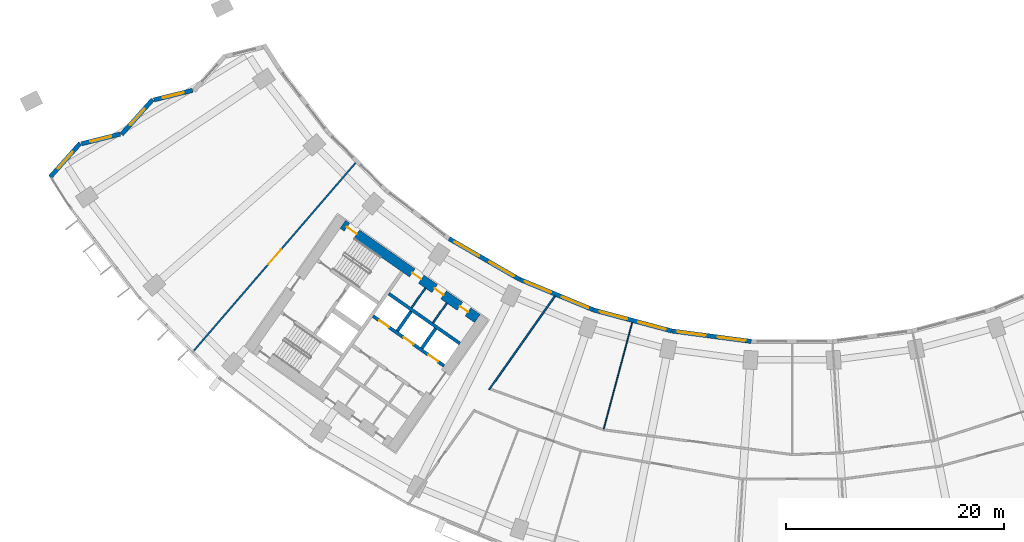
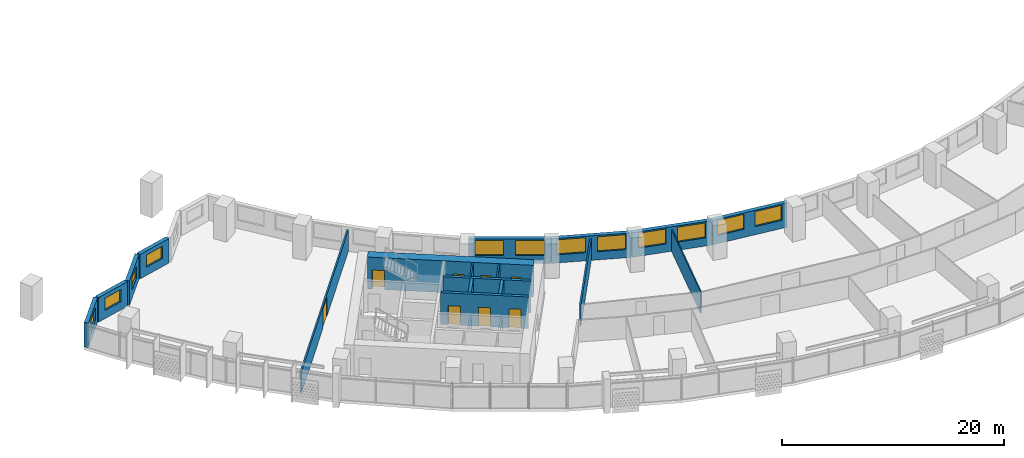
# One storey, part 4 of 31: 18 walls, 12 windows, 8 doors, 20 openings.
"""IFC4 building model written with IfcOpenShell, lengths in metres."""

from ifc_helpers import new_model, si_unit, direction, frame, frame_2d, origin, place, context, subcontext, project, spatial, rectangle, extrude, material, layer, layer_set, type_object, element, fill, save


model = new_model("IFC4")

# Units and contexts
model_context = context("Model", 3, precision=1e-05, world=origin(), true_north=direction((0.0, 1.0)))
body_context = subcontext(model_context, "Body", "Model", "MODEL_VIEW")
ifc_project = project(units=[si_unit("LENGTHUNIT", "METRE"), si_unit("AREAUNIT", "SQUARE_METRE"), si_unit("VOLUMEUNIT", "CUBIC_METRE"), si_unit("PLANEANGLEUNIT", "RADIAN"), si_unit("MASSUNIT", "GRAM", prefix="KILO")], contexts=[model_context])

# Site, building, storey
site_placement = place(None, origin())
site = spatial("IfcSite", under=ifc_project, at=site_placement, CompositionType="ELEMENT")
building_placement = place(site_placement, origin())
building = spatial("IfcBuilding", under=site, at=building_placement, Name="Qamariyya Broadcast Tower", CompositionType="ELEMENT")
storey_placement = place(building_placement, frame((0.0, 0.0, 82.300048828125)))
storey = spatial("IfcBuildingStorey", under=building, at=storey_placement, Name="L17", CompositionType="ELEMENT", Elevation=82.300048828125)

# Wall, openings, doors
ifc_material_1 = material(Name="Concrete C70/85", Category="concrete")
ifc_layer_1 = layer(ifc_material_1, 0.89990234375)
ifc_layer_set_1 = layer_set([ifc_layer_1], Name="Core wall 900 mm Concrete C70/85")
wall_type_1 = type_object("IfcWallType", Name="Core wall 900 mm Concrete C70/85", PredefinedType="SHEAR", material=ifc_layer_set_1)
wall_1_placement = place(storey_placement, frame((-28.8544921875, -54.32421875, 0.0), z_axis=(0.0, 0.0, 1.0), x_axis=(-0.819145767589, 0.573585400304, 0.0)))
wall_1 = element("IfcWall", 1, at=wall_1_placement, inside=storey, type_object=wall_type_1, Name="k-W-L17-WI", PredefinedType="SHEAR", context=body_context, shape_type="SweptSolid", body=[
    extrude(rectangle(XDim=15.04541015625, YDim=0.89990234375, at=frame_2d((7.522705078125, 0.0))), origin(), (0.0, 0.0, 1.0), 3.5),
])
opening_1_placement = place(wall_1_placement, frame((1.050048828125, 0.0, 0.0)))
opening_1 = element("IfcOpeningElement", 2, at=opening_1_placement, cuts=wall_1, Name="Opening KD5-W1", PredefinedType="OPENING", context=body_context, shape_type="SweptSolid", body=[
    extrude(rectangle(XDim=0.89990234375, YDim=2.10009765625, at=frame_2d((0.449951171875, 1.050048828125))), frame((0.0, 0.4599609375, 0.0), z_axis=(0.0, -1.0, 0.0), x_axis=(1.0, 0.0, 0.0)), (0.0, 0.0, 1.0), 0.919921875),
])
opening_2_placement = place(wall_1_placement, frame((3.77490234375, 0.0, 0.0)))
opening_2 = element("IfcOpeningElement", 3, at=opening_2_placement, cuts=wall_1, Name="Opening KD7-W1", PredefinedType="OPENING", context=body_context, shape_type="SweptSolid", body=[
    extrude(rectangle(XDim=1.0, YDim=2.10009765625, at=frame_2d((0.5, 1.050048828125))), frame((0.0, 0.4599609375, 0.0), z_axis=(0.0, -1.0, 0.0), x_axis=(1.0, 0.0, 0.0)), (0.0, 0.0, 1.0), 0.919921875),
])
opening_3_placement = place(wall_1_placement, frame((6.27490234375, 0.0, 0.0)))
opening_3 = element("IfcOpeningElement", 4, at=opening_3_placement, cuts=wall_1, Name="Opening KD6-W4", PredefinedType="OPENING", context=body_context, shape_type="SweptSolid", body=[
    extrude(rectangle(XDim=1.0, YDim=2.10009765625, at=frame_2d((0.5, 1.050048828125))), frame((0.0, 0.4599609375, 0.0), z_axis=(0.0, -1.0, 0.0), x_axis=(1.0, 0.0, 0.0)), (0.0, 0.0, 1.0), 0.919921875),
])
opening_4_placement = place(wall_1_placement, frame((13.495361328125, 0.0, 0.0)))
opening_4 = element("IfcOpeningElement", 5, at=opening_4_placement, cuts=wall_1, Name="Opening KD1-W1", PredefinedType="OPENING", context=body_context, shape_type="SweptSolid", body=[
    extrude(rectangle(XDim=1.10009765625, YDim=2.10009765625, at=frame_2d((0.550048828125, 1.050048828125))), frame((0.0, 0.4599609375, 0.0), z_axis=(0.0, -1.0, 0.0), x_axis=(1.0, 0.0, 0.0)), (0.0, 0.0, 1.0), 0.919921875),
])
ifc_material_2 = material(Name="Steel fire-resisting door leaf", Category="steel")
door_type_1 = type_object("IfcDoorType", Name="Accessible toilet door KD7", OperationType="SINGLE_SWING_LEFT", PredefinedType="DOOR", material=ifc_material_2)
door_1_placement = place(opening_2_placement, origin())
door_1 = element("IfcDoor", 6, at=door_1_placement, inside=storey, type_object=door_type_1, Name="k-W-L17-WI-D9", OperationType="SINGLE_SWING_RIGHT", OverallHeight=2.10009765625, OverallWidth=1.0, PredefinedType="DOOR", context=body_context, shape_type="SweptSolid", body=[
    extrude(rectangle(XDim=1.0, YDim=2.10009765625, at=frame_2d((0.5, 1.050048828125))), frame((0.0, 0.02490234375, 0.0), z_axis=(0.0, -1.0, 0.0), x_axis=(1.0, 0.0, 0.0)), (0.0, 0.0, 1.0), 0.050048828125),
])
fill(opening_2, door_1)
door_type_2 = type_object("IfcDoorType", Name="Core room door KD6", OperationType="SINGLE_SWING_LEFT", PredefinedType="DOOR", material=ifc_material_2)
door_2_placement = place(opening_3_placement, origin())
door_2 = element("IfcDoor", 7, at=door_2_placement, inside=storey, type_object=door_type_2, Name="k-W-L17-WI-D10", OperationType="SINGLE_SWING_LEFT", OverallHeight=2.10009765625, OverallWidth=1.0, PredefinedType="DOOR", context=body_context, shape_type="SweptSolid", body=[
    extrude(rectangle(XDim=1.0, YDim=2.10009765625, at=frame_2d((0.5, 1.050048828125))), frame((0.0, 0.02490234375, 0.0), z_axis=(0.0, -1.0, 0.0), x_axis=(1.0, 0.0, 0.0)), (0.0, 0.0, 1.0), 0.050048828125),
])
fill(opening_3, door_2)
door_type_3 = type_object("IfcDoorType", Name="Stair door KD1", OperationType="SINGLE_SWING_LEFT", PredefinedType="DOOR", material=ifc_material_2)
door_3_placement = place(opening_4_placement, origin())
door_3 = element("IfcDoor", 8, at=door_3_placement, inside=storey, type_object=door_type_3, Name="k-W-L17-WI-D17", OperationType="SINGLE_SWING_RIGHT", OverallHeight=2.10009765625, OverallWidth=1.10009765625, PredefinedType="DOOR", context=body_context, shape_type="SweptSolid", body=[
    extrude(rectangle(XDim=1.10009765625, YDim=2.10009765625, at=frame_2d((0.550048828125, 1.050048828125))), frame((0.0, 0.02490234375, 0.0), z_axis=(0.0, -1.0, 0.0), x_axis=(1.0, 0.0, 0.0)), (0.0, 0.0, 1.0), 0.050048828125),
])
fill(opening_4, door_3)
door_type_4 = type_object("IfcDoorType", Name="Toilet door KD5", OperationType="SINGLE_SWING_LEFT", PredefinedType="DOOR", material=ifc_material_2)
door_4_placement = place(opening_1_placement, origin())
door_4 = element("IfcDoor", 9, at=door_4_placement, inside=storey, type_object=door_type_4, Name="k-W-L17-WI-D8", OperationType="SINGLE_SWING_LEFT", OverallHeight=2.10009765625, OverallWidth=0.89990234375, PredefinedType="DOOR", context=body_context, shape_type="SweptSolid", body=[
    extrude(rectangle(XDim=0.89990234375, YDim=2.10009765625, at=frame_2d((0.449951171875, 1.050048828125))), frame((0.0, 0.02490234375, 0.0), z_axis=(0.0, -1.0, 0.0), x_axis=(1.0, 0.0, 0.0)), (0.0, 0.0, 1.0), 0.050048828125),
])
fill(opening_1, door_4)

# Wall, opening, door
ifc_material_3 = material(Name="Gypsum board partition")
ifc_layer_2 = layer(ifc_material_3, 0.14990234375)
ifc_layer_set_2 = layer_set([ifc_layer_2], Name="Corridor partition 150 EI 60")
wall_type_2 = type_object("IfcWallType", Name="Corridor partition 150 EI 60", PredefinedType="PARTITIONING", material=ifc_layer_set_2)
wall_2_placement = place(storey_placement, frame((-54.842041015625, -57.27685546875, 0.0), z_axis=(0.0, 0.0, 1.0), x_axis=(0.652471531746, 0.757813235739, 0.0)))
wall_2 = element("IfcWall", 10, at=wall_2_placement, inside=storey, type_object=wall_type_2, Name="Partition L17-001", PredefinedType="PARTITIONING", context=body_context, shape_type="SweptSolid", body=[
    extrude(rectangle(XDim=22.71484375, YDim=0.14990234375, at=frame_2d((11.357421875, 0.0))), origin(), (0.0, 0.0, 1.0), 2.39990234375),
])
opening_5_placement = place(wall_2_placement, frame((10.45751953125, 0.0, 0.0)))
opening_5 = element("IfcOpeningElement", 11, at=opening_5_placement, cuts=wall_2, Name="Opening L17-D12", PredefinedType="OPENING", context=body_context, shape_type="SweptSolid", body=[
    extrude(rectangle(XDim=1.800048828125, YDim=2.10009765625, at=frame_2d((0.89990234375, 1.050048828125))), frame((0.0, 0.0849609375, 0.0), z_axis=(0.0, -1.0, 0.0), x_axis=(1.0, 0.0, 0.0)), (0.0, 0.0, 1.0), 0.169921875),
])
ifc_material_4 = material(Name="Timber fire door leaf", Category="wood")
door_type_5 = type_object("IfcDoorType", Name="Double fire door 1800 x 2100 FD60", OperationType="NOTDEFINED", PredefinedType="DOOR", material=ifc_material_4)
door_5_placement = place(opening_5_placement, origin())
door_5 = element("IfcDoor", 12, at=door_5_placement, inside=storey, type_object=door_type_5, Name="Door L17-D12", OperationType="DOUBLE_DOOR_SINGLE_SWING", OverallHeight=2.10009765625, OverallWidth=1.800048828125, PredefinedType="DOOR", context=body_context, shape_type="SweptSolid", body=[
    extrude(rectangle(XDim=1.800048828125, YDim=2.10009765625, at=frame_2d((0.89990234375, 1.050048828125))), frame((0.0, 0.02490234375, 0.0), z_axis=(0.0, -1.0, 0.0), x_axis=(1.0, 0.0, 0.0)), (0.0, 0.0, 1.0), 0.050048828125),
])
fill(opening_5, door_5)

# Walls
wall_3_placement = place(storey_placement, frame((-21.748291015625, -52.2763671875, 0.0), z_axis=(0.0, 0.0, 1.0), x_axis=(-0.575419434668, -0.817858468322, 0.0)))
element("IfcWall", 13, at=wall_3_placement, inside=storey, type_object=wall_type_2, Name="Partition L17-008", PredefinedType="PARTITIONING", context=body_context, shape_type="SweptSolid", body=[
    extrude(rectangle(XDim=10.46484375, YDim=0.14990234375, at=frame_2d((5.232421875, 0.0))), origin(), (0.0, 0.0, 1.0), 2.39990234375),
])
ifc_material_5 = material(Name="Gypsum board partition on steel studs", Category="steel")
ifc_layer_3 = layer(ifc_material_5, 0.14990234375)
ifc_layer_set_3 = layer_set([ifc_layer_3], Name="Gypsum board partition 150 mm")
wall_type_3 = type_object("IfcWallType", Name="Gypsum board partition 150 mm", PredefinedType="PARTITIONING", material=ifc_layer_set_3)
wall_4_placement = place(storey_placement, frame((-32.9140625, -54.716796875, 0.0), z_axis=(0.0, 0.0, 1.0), x_axis=(0.573581496053, 0.819148501424, 0.0)))
element("IfcWall", 14, at=wall_4_placement, inside=storey, type_object=wall_type_3, Name="k-W-L17-NP310", PredefinedType="PARTITIONING", context=body_context, shape_type="SweptSolid", body=[
    extrude(rectangle(XDim=2.2001953125, YDim=0.14990234375, at=frame_2d((1.10009765625, 0.0))), origin(), (0.0, 0.0, 1.0), 3.5),
])
wall_5_placement = place(storey_placement, frame((-34.8798828125, -53.340087890625, 0.0), z_axis=(0.0, 0.0, 1.0), x_axis=(0.573559170999, 0.819164133348, 0.0)))
element("IfcWall", 15, at=wall_5_placement, inside=storey, type_object=wall_type_3, Name="k-W-L17-NP550", PredefinedType="PARTITIONING", context=body_context, shape_type="SweptSolid", body=[
    extrude(rectangle(XDim=2.19970703125, YDim=0.14990234375, at=frame_2d((1.099853515625, 0.0))), origin(), (0.0, 0.0, 1.0), 3.5),
])

# Wall, openings, doors
ifc_material_6 = material(Name="Concrete C60/75", Category="concrete")
ifc_layer_4 = layer(ifc_material_6, 0.300048828125)
ifc_layer_set_4 = layer_set([ifc_layer_4], Name="Lift shaft wall 300 mm Concrete C60/75")
wall_type_4 = type_object("IfcWallType", Name="Lift shaft wall 300 mm Concrete C60/75", PredefinedType="SOLIDWALL", material=ifc_layer_set_4)
wall_6_placement = place(storey_placement, frame((-31.89453125, -58.66552734375, 0.0), z_axis=(0.0, 0.0, 1.0), x_axis=(-0.819166993208, 0.573555086491, 0.0)))
wall_6 = element("IfcWall", 16, at=wall_6_placement, inside=storey, type_object=wall_type_4, Name="k-W-L17-NF0", PredefinedType="SOLIDWALL", context=body_context, shape_type="SweptSolid", body=[
    extrude(rectangle(XDim=7.9501953125, YDim=0.300048828125, at=frame_2d((3.97509765625, 0.0))), origin(), (0.0, 0.0, 1.0), 3.5),
])
opening_6_placement = place(wall_6_placement, frame((0.675048828125, 0.0, 0.0)))
opening_6 = element("IfcOpeningElement", 17, at=opening_6_placement, cuts=wall_6, Name="Opening LD", PredefinedType="OPENING", context=body_context, shape_type="SweptSolid", body=[
    extrude(rectangle(XDim=1.10009765625, YDim=2.10009765625, at=frame_2d((0.550048828125, 1.050048828125))), frame((0.0, 0.159912109375, 0.0), z_axis=(0.0, -1.0, 0.0), x_axis=(1.0, 0.0, 0.0)), (0.0, 0.0, 1.0), 0.320068359375),
])
opening_7_placement = place(wall_6_placement, frame((3.425048828125, 0.0, 0.0)))
opening_7 = element("IfcOpeningElement", 18, at=opening_7_placement, cuts=wall_6, Name="Opening LD", PredefinedType="OPENING", context=body_context, shape_type="SweptSolid", body=[
    extrude(rectangle(XDim=1.10009765625, YDim=2.10009765625, at=frame_2d((0.550048828125, 1.050048828125))), frame((0.0, 0.159912109375, 0.0), z_axis=(0.0, -1.0, 0.0), x_axis=(1.0, 0.0, 0.0)), (0.0, 0.0, 1.0), 0.320068359375),
])
opening_8_placement = place(wall_6_placement, frame((6.175048828125, 0.0, 0.0)))
opening_8 = element("IfcOpeningElement", 19, at=opening_8_placement, cuts=wall_6, Name="Opening LD", PredefinedType="OPENING", context=body_context, shape_type="SweptSolid", body=[
    extrude(rectangle(XDim=1.10009765625, YDim=2.10009765625, at=frame_2d((0.550048828125, 1.050048828125))), frame((0.0, 0.159912109375, 0.0), z_axis=(0.0, -1.0, 0.0), x_axis=(1.0, 0.0, 0.0)), (0.0, 0.0, 1.0), 0.320068359375),
])
door_type_6 = type_object("IfcDoorType", Name="Lift landing door LD", OperationType="DOUBLE_DOOR_SLIDING", PredefinedType="DOOR", material=ifc_material_2)
door_6_placement = place(opening_6_placement, origin())
door_6 = element("IfcDoor", 20, at=door_6_placement, inside=storey, type_object=door_type_6, Name="k-W-L17-NF0-D2", OperationType="DOUBLE_DOOR_SLIDING", OverallHeight=2.10009765625, OverallWidth=1.10009765625, PredefinedType="DOOR", context=body_context, shape_type="SweptSolid", body=[
    extrude(rectangle(XDim=1.10009765625, YDim=2.10009765625, at=frame_2d((0.550048828125, 1.050048828125))), frame((0.0, 0.02490234375, 0.0), z_axis=(0.0, -1.0, 0.0), x_axis=(1.0, 0.0, 0.0)), (0.0, 0.0, 1.0), 0.050048828125),
])
fill(opening_6, door_6)
door_7_placement = place(opening_7_placement, origin())
door_7 = element("IfcDoor", 21, at=door_7_placement, inside=storey, type_object=door_type_6, Name="k-W-L17-NF0-D3", OperationType="DOUBLE_DOOR_SLIDING", OverallHeight=2.10009765625, OverallWidth=1.10009765625, PredefinedType="DOOR", context=body_context, shape_type="SweptSolid", body=[
    extrude(rectangle(XDim=1.10009765625, YDim=2.10009765625, at=frame_2d((0.550048828125, 1.050048828125))), frame((0.0, 0.02490234375, 0.0), z_axis=(0.0, -1.0, 0.0), x_axis=(1.0, 0.0, 0.0)), (0.0, 0.0, 1.0), 0.050048828125),
])
fill(opening_7, door_7)
door_8_placement = place(opening_8_placement, origin())
door_8 = element("IfcDoor", 22, at=door_8_placement, inside=storey, type_object=door_type_6, Name="k-W-L17-NF0-D4", OperationType="DOUBLE_DOOR_SLIDING", OverallHeight=2.10009765625, OverallWidth=1.10009765625, PredefinedType="DOOR", context=body_context, shape_type="SweptSolid", body=[
    extrude(rectangle(XDim=1.10009765625, YDim=2.10009765625, at=frame_2d((0.550048828125, 1.050048828125))), frame((0.0, 0.02490234375, 0.0), z_axis=(0.0, -1.0, 0.0), x_axis=(1.0, 0.0, 0.0)), (0.0, 0.0, 1.0), 0.050048828125),
])
fill(opening_8, door_8)

# Walls
wall_7_placement = place(storey_placement, frame((-30.460693359375, -56.61767578125, 0.0), z_axis=(0.0, 0.0, 1.0), x_axis=(-0.819142461705, 0.573590121456, 0.0)))
element("IfcWall", 23, at=wall_7_placement, inside=storey, type_object=wall_type_4, Name="k-W-L17-NB0", PredefinedType="SOLIDWALL", context=body_context, shape_type="SweptSolid", body=[
    extrude(rectangle(XDim=7.949951171875, YDim=0.300048828125, at=frame_2d((3.97509765625, 0.0))), origin(), (0.0, 0.0, 1.0), 3.5),
])
wall_8_placement = place(storey_placement, frame((-33.9384765625, -57.051513671875, 0.0), z_axis=(0.0, 0.0, 1.0), x_axis=(0.573581496053, 0.819148501424, 0.0)))
element("IfcWall", 24, at=wall_8_placement, inside=storey, type_object=wall_type_4, Name="k-W-L17-ND0", PredefinedType="SOLIDWALL", context=body_context, shape_type="SweptSolid", body=[
    extrude(rectangle(XDim=2.2001953125, YDim=0.300048828125, at=frame_2d((1.10009765625, 0.0))), origin(), (0.0, 0.0, 1.0), 3.5),
])
wall_9_placement = place(storey_placement, frame((-36.19091796875, -55.47412109375, 0.0), z_axis=(0.0, 0.0, 1.0), x_axis=(0.573507030513, 0.819200638399, 0.0)))
element("IfcWall", 25, at=wall_9_placement, inside=storey, type_object=wall_type_4, Name="k-W-L17-ND1", PredefinedType="SOLIDWALL", context=body_context, shape_type="SweptSolid", body=[
    extrude(rectangle(XDim=2.199951171875, YDim=0.300048828125, at=frame_2d((1.10009765625, 0.0))), origin(), (0.0, 0.0, 1.0), 3.5),
])
ifc_layer_5 = layer(ifc_material_3, 0.10009765625)
ifc_layer_set_5 = layer_set([ifc_layer_5], Name="Partition 100")
wall_type_5 = type_object("IfcWallType", Name="Partition 100", PredefinedType="PARTITIONING", material=ifc_layer_set_5)
wall_10_placement = place(storey_placement, frame((-14.65673828125, -54.69970703125, 0.0), z_axis=(0.0, 0.0, 1.0), x_axis=(-0.258825935876, -0.965923979885, 0.0)))
element("IfcWall", 26, at=wall_10_placement, inside=storey, type_object=wall_type_5, Name="Partition L17-011", PredefinedType="PARTITIONING", context=body_context, shape_type="SweptSolid", body=[
    extrude(rectangle(XDim=10.095703125, YDim=0.10009765625, at=frame_2d((5.0478515625, 0.0))), origin(), (0.0, 0.0, 1.0), 2.39990234375),
])

# Wall, opening, window
ifc_material_7 = material(Name="Terracotta", Category="masonry")
ifc_layer_6 = layer(ifc_material_7, 0.39990234375)
ifc_layer_set_6 = layer_set([ifc_layer_6], Name="Terracotta clad wall 400")
wall_type_6 = type_object("IfcWallType", Name="Terracotta clad wall 400", PredefinedType="SOLIDWALL", material=ifc_layer_set_6)
wall_11_placement = place(storey_placement, frame((-54.95556640625, -33.40380859375, 0.0), z_axis=(0.0, 0.0, 1.0), x_axis=(-0.970523180953, -0.241007790815, 0.0)))
wall_11 = element("IfcWall", 27, at=wall_11_placement, inside=storey, type_object=wall_type_6, Name="e-wl-L17-capW2", PredefinedType="SOLIDWALL", context=body_context, shape_type="SweptSolid", body=[
    extrude(rectangle(XDim=3.647705078125, YDim=0.39990234375, at=frame_2d((1.82373046875, 0.0))), origin(), (0.0, 0.0, 1.0), 2.699951171875),
])
opening_9_placement = place(wall_11_placement, frame((0.82373046875, 0.0, 0.89990234375)))
opening_9 = element("IfcOpeningElement", 28, at=opening_9_placement, cuts=wall_11, Name="Opening W4", PredefinedType="OPENING", context=body_context, shape_type="SweptSolid", body=[
    extrude(rectangle(XDim=2.0, YDim=1.35009765625, at=frame_2d((1.0, 0.675048828125))), frame((0.0, 0.2099609375, 0.0), z_axis=(0.0, -1.0, 0.0), x_axis=(1.0, 0.0, 0.0)), (0.0, 0.0, 1.0), 0.419921875),
])
ifc_material_8 = material(Name="Clear low-e double glazed unit in aluminium frame", Category="aluminium")
window_type_1 = type_object("IfcWindowType", Name="Horn bay window 2000 x 1350", PartitioningType="SINGLE_PANEL", PredefinedType="WINDOW", material=ifc_material_8)
window_1_placement = place(opening_9_placement, origin())
window_1 = element("IfcWindow", 29, at=window_1_placement, inside=storey, type_object=window_type_1, Name="e-w-L17-capW2", OverallHeight=1.35009765625, OverallWidth=2.0, PartitioningType="SINGLE_PANEL", PredefinedType="WINDOW", context=body_context, shape_type="SweptSolid", body=[
    extrude(rectangle(XDim=2.0, YDim=1.35009765625, at=frame_2d((1.0, 0.675048828125))), frame((0.0, 0.030029296875, 0.0), z_axis=(0.0, -1.0, 0.0), x_axis=(1.0, 0.0, 0.0)), (0.0, 0.0, 1.0), 0.06005859375),
])
fill(opening_9, window_1)

wall_12_placement = place(storey_placement, frame((-58.619873046875, -34.249755859375, 0.0), z_axis=(0.0, 0.0, 1.0), x_axis=(-0.665411157613, -0.746477053448, 0.0)))
wall_12 = element("IfcWall", 30, at=wall_12_placement, inside=storey, type_object=wall_type_6, Name="e-wl-L17-capW3", PredefinedType="SOLIDWALL", context=body_context, shape_type="SweptSolid", body=[
    extrude(rectangle(XDim=4.294677734375, YDim=0.39990234375, at=frame_2d((2.1474609375, 0.0))), origin(), (0.0, 0.0, 1.0), 2.699951171875),
])
opening_10_placement = place(wall_12_placement, frame((1.147216796875, 0.0, 0.89990234375)))
opening_10 = element("IfcOpeningElement", 31, at=opening_10_placement, cuts=wall_12, Name="Opening W4", PredefinedType="OPENING", context=body_context, shape_type="SweptSolid", body=[
    extrude(rectangle(XDim=2.0, YDim=1.35009765625, at=frame_2d((1.0, 0.675048828125))), frame((0.0, 0.2099609375, 0.0), z_axis=(0.0, -1.0, 0.0), x_axis=(1.0, 0.0, 0.0)), (0.0, 0.0, 1.0), 0.419921875),
])
window_2_placement = place(opening_10_placement, origin())
window_2 = element("IfcWindow", 32, at=window_2_placement, inside=storey, type_object=window_type_1, Name="e-w-L17-capW3", OverallHeight=1.35009765625, OverallWidth=2.0, PartitioningType="SINGLE_PANEL", PredefinedType="WINDOW", context=body_context, shape_type="SweptSolid", body=[
    extrude(rectangle(XDim=2.0, YDim=1.35009765625, at=frame_2d((1.0, 0.675048828125))), frame((0.0, 0.030029296875, 0.0), z_axis=(0.0, -1.0, 0.0), x_axis=(1.0, 0.0, 0.0)), (0.0, 0.0, 1.0), 0.06005859375),
])
fill(opening_10, window_2)

wall_13_placement = place(storey_placement, frame((-61.601806640625, -37.422607421875, 0.0), z_axis=(0.0, 0.0, 1.0), x_axis=(-0.970519189447, -0.241023863788, 0.0)))
wall_13 = element("IfcWall", 33, at=wall_13_placement, inside=storey, type_object=wall_type_6, Name="e-wl-L17-capW4", PredefinedType="SOLIDWALL", context=body_context, shape_type="SweptSolid", body=[
    extrude(rectangle(XDim=3.648681640625, YDim=0.39990234375, at=frame_2d((1.82421875, 0.0))), origin(), (0.0, 0.0, 1.0), 2.699951171875),
])
opening_11_placement = place(wall_13_placement, frame((0.824462890625, 0.0, 0.89990234375)))
opening_11 = element("IfcOpeningElement", 34, at=opening_11_placement, cuts=wall_13, Name="Opening W4", PredefinedType="OPENING", context=body_context, shape_type="SweptSolid", body=[
    extrude(rectangle(XDim=2.0, YDim=1.35009765625, at=frame_2d((1.0, 0.675048828125))), frame((0.0, 0.2099609375, 0.0), z_axis=(0.0, -1.0, 0.0), x_axis=(1.0, 0.0, 0.0)), (0.0, 0.0, 1.0), 0.419921875),
])
window_3_placement = place(opening_11_placement, origin())
window_3 = element("IfcWindow", 35, at=window_3_placement, inside=storey, type_object=window_type_1, Name="e-w-L17-capW4", OverallHeight=1.35009765625, OverallWidth=2.0, PartitioningType="SINGLE_PANEL", PredefinedType="WINDOW", context=body_context, shape_type="SweptSolid", body=[
    extrude(rectangle(XDim=2.0, YDim=1.35009765625, at=frame_2d((1.0, 0.675048828125))), frame((0.0, 0.030029296875, 0.0), z_axis=(0.0, -1.0, 0.0), x_axis=(1.0, 0.0, 0.0)), (0.0, 0.0, 1.0), 0.06005859375),
])
fill(opening_11, window_3)

wall_14_placement = place(storey_placement, frame((-65.26708984375, -38.26904296875, 0.0), z_axis=(0.0, 0.0, 1.0), x_axis=(-0.665366936745, -0.746516469669, 0.0)))
wall_14 = element("IfcWall", 36, at=wall_14_placement, inside=storey, type_object=wall_type_6, Name="e-wl-L17-capW5", PredefinedType="SOLIDWALL", context=body_context, shape_type="SweptSolid", body=[
    extrude(rectangle(XDim=4.12158203125, YDim=0.39990234375, at=frame_2d((2.060791015625, 0.0))), origin(), (0.0, 0.0, 1.0), 2.699951171875),
])
opening_12_placement = place(wall_14_placement, frame((1.060791015625, 0.0, 0.89990234375)))
opening_12 = element("IfcOpeningElement", 37, at=opening_12_placement, cuts=wall_14, Name="Opening W4", PredefinedType="OPENING", context=body_context, shape_type="SweptSolid", body=[
    extrude(rectangle(XDim=2.0, YDim=1.35009765625, at=frame_2d((1.0, 0.675048828125))), frame((0.0, 0.2099609375, 0.0), z_axis=(0.0, -1.0, 0.0), x_axis=(1.0, 0.0, 0.0)), (0.0, 0.0, 1.0), 0.419921875),
])
window_4_placement = place(opening_12_placement, origin())
window_4 = element("IfcWindow", 38, at=window_4_placement, inside=storey, type_object=window_type_1, Name="e-w-L17-capW5", OverallHeight=1.35009765625, OverallWidth=2.0, PartitioningType="SINGLE_PANEL", PredefinedType="WINDOW", context=body_context, shape_type="SweptSolid", body=[
    extrude(rectangle(XDim=2.0, YDim=1.35009765625, at=frame_2d((1.0, 0.675048828125))), frame((0.0, 0.030029296875, 0.0), z_axis=(0.0, -1.0, 0.0), x_axis=(1.0, 0.0, 0.0)), (0.0, 0.0, 1.0), 0.06005859375),
])
fill(opening_12, window_4)

# Wall, openings, windows
wall_15_placement = place(storey_placement, frame((-24.989990234375, -50.73095703125, 0.0), z_axis=(0.0, 0.0, 1.0), x_axis=(-0.866037641005, 0.499978803913, 0.0)))
wall_15 = element("IfcWall", 39, at=wall_15_placement, inside=storey, type_object=wall_type_6, Name="e-wl-L17-in40", PredefinedType="SOLIDWALL", context=body_context, shape_type="SweptSolid", body=[
    extrude(rectangle(XDim=7.447021484375, YDim=0.39990234375, at=frame_2d((3.7236328125, 0.0))), origin(), (0.0, 0.0, 1.0), 2.699951171875),
])
opening_13_placement = place(wall_15_placement, frame((4.266357421875, 0.0, 0.89990234375)))
opening_13 = element("IfcOpeningElement", 40, at=opening_13_placement, cuts=wall_15, Name="Opening W1", PredefinedType="OPENING", context=body_context, shape_type="SweptSolid", body=[
    extrude(rectangle(XDim=2.60009765625, YDim=1.64990234375, at=frame_2d((1.300048828125, 0.824951171875))), frame((0.0, 0.2099609375, 0.0), z_axis=(0.0, -1.0, 0.0), x_axis=(1.0, 0.0, 0.0)), (0.0, 0.0, 1.0), 0.419921875),
])
opening_14_placement = place(wall_15_placement, frame((0.580810546875, 0.0, 0.89990234375)))
opening_14 = element("IfcOpeningElement", 41, at=opening_14_placement, cuts=wall_15, Name="Opening W1", PredefinedType="OPENING", context=body_context, shape_type="SweptSolid", body=[
    extrude(rectangle(XDim=2.60009765625, YDim=1.64990234375, at=frame_2d((1.300048828125, 0.824951171875))), frame((0.0, 0.2099609375, 0.0), z_axis=(0.0, -1.0, 0.0), x_axis=(1.0, 0.0, 0.0)), (0.0, 0.0, 1.0), 0.419921875),
])
window_type_2 = type_object("IfcWindowType", Name="Ribbon window 2600 x 1650", PartitioningType="SINGLE_PANEL", PredefinedType="WINDOW", material=ifc_material_8)
window_5_placement = place(opening_13_placement, origin())
window_5 = element("IfcWindow", 42, at=window_5_placement, inside=storey, type_object=window_type_2, Name="e-w-L17-in04-0", OverallHeight=1.64990234375, OverallWidth=2.60009765625, PartitioningType="SINGLE_PANEL", PredefinedType="WINDOW", context=body_context, shape_type="SweptSolid", body=[
    extrude(rectangle(XDim=2.60009765625, YDim=1.64990234375, at=frame_2d((1.300048828125, 0.824951171875))), frame((0.0, 0.030029296875, 0.0), z_axis=(0.0, -1.0, 0.0), x_axis=(1.0, 0.0, 0.0)), (0.0, 0.0, 1.0), 0.06005859375),
])
fill(opening_13, window_5)
window_6_placement = place(opening_14_placement, origin())
window_6 = element("IfcWindow", 43, at=window_6_placement, inside=storey, type_object=window_type_2, Name="e-w-L17-in04-1", OverallHeight=1.64990234375, OverallWidth=2.60009765625, PartitioningType="SINGLE_PANEL", PredefinedType="WINDOW", context=body_context, shape_type="SweptSolid", body=[
    extrude(rectangle(XDim=2.60009765625, YDim=1.64990234375, at=frame_2d((1.300048828125, 0.824951171875))), frame((0.0, 0.030029296875, 0.0), z_axis=(0.0, -1.0, 0.0), x_axis=(1.0, 0.0, 0.0)), (0.0, 0.0, 1.0), 0.06005859375),
])
fill(opening_14, window_6)

wall_16_placement = place(storey_placement, frame((-18.224365234375, -53.52978515625, 0.0), z_axis=(0.0, 0.0, 1.0), x_axis=(-0.923891626322, 0.382654234018, 0.0)))
wall_16 = element("IfcWall", 44, at=wall_16_placement, inside=storey, type_object=wall_type_6, Name="e-wl-L17-in50", PredefinedType="SOLIDWALL", context=body_context, shape_type="SweptSolid", body=[
    extrude(rectangle(XDim=7.295654296875, YDim=0.39990234375, at=frame_2d((3.64794921875, 0.0))), origin(), (0.0, 0.0, 1.0), 2.699951171875),
])
opening_15_placement = place(wall_16_placement, frame((4.190673828125, 0.0, 0.89990234375)))
opening_15 = element("IfcOpeningElement", 45, at=opening_15_placement, cuts=wall_16, Name="Opening W1", PredefinedType="OPENING", context=body_context, shape_type="SweptSolid", body=[
    extrude(rectangle(XDim=2.60009765625, YDim=1.64990234375, at=frame_2d((1.300048828125, 0.824951171875))), frame((0.0, 0.2099609375, 0.0), z_axis=(0.0, -1.0, 0.0), x_axis=(1.0, 0.0, 0.0)), (0.0, 0.0, 1.0), 0.419921875),
])
opening_16_placement = place(wall_16_placement, frame((0.505126953125, 0.0, 0.89990234375)))
opening_16 = element("IfcOpeningElement", 46, at=opening_16_placement, cuts=wall_16, Name="Opening W1", PredefinedType="OPENING", context=body_context, shape_type="SweptSolid", body=[
    extrude(rectangle(XDim=2.60009765625, YDim=1.64990234375, at=frame_2d((1.300048828125, 0.824951171875))), frame((0.0, 0.2099609375, 0.0), z_axis=(0.0, -1.0, 0.0), x_axis=(1.0, 0.0, 0.0)), (0.0, 0.0, 1.0), 0.419921875),
])
window_7_placement = place(opening_15_placement, origin())
window_7 = element("IfcWindow", 47, at=window_7_placement, inside=storey, type_object=window_type_2, Name="e-w-L17-in05-0", OverallHeight=1.64990234375, OverallWidth=2.60009765625, PartitioningType="SINGLE_PANEL", PredefinedType="WINDOW", context=body_context, shape_type="SweptSolid", body=[
    extrude(rectangle(XDim=2.60009765625, YDim=1.64990234375, at=frame_2d((1.300048828125, 0.824951171875))), frame((0.0, 0.030029296875, 0.0), z_axis=(0.0, -1.0, 0.0), x_axis=(1.0, 0.0, 0.0)), (0.0, 0.0, 1.0), 0.06005859375),
])
fill(opening_15, window_7)
window_8_placement = place(opening_16_placement, origin())
window_8 = element("IfcWindow", 48, at=window_8_placement, inside=storey, type_object=window_type_2, Name="e-w-L17-in05-1", OverallHeight=1.64990234375, OverallWidth=2.60009765625, PartitioningType="SINGLE_PANEL", PredefinedType="WINDOW", context=body_context, shape_type="SweptSolid", body=[
    extrude(rectangle(XDim=2.60009765625, YDim=1.64990234375, at=frame_2d((1.300048828125, 0.824951171875))), frame((0.0, 0.030029296875, 0.0), z_axis=(0.0, -1.0, 0.0), x_axis=(1.0, 0.0, 0.0)), (0.0, 0.0, 1.0), 0.06005859375),
])
fill(opening_16, window_8)

wall_17_placement = place(storey_placement, frame((-11.00830078125, -55.47021484375, 0.0), z_axis=(0.0, 0.0, 1.0), x_axis=(-0.965924637935, 0.25882348006, 0.0)))
wall_17 = element("IfcWall", 49, at=wall_17_placement, inside=storey, type_object=wall_type_6, Name="e-wl-L17-in60", PredefinedType="SOLIDWALL", context=body_context, shape_type="SweptSolid", body=[
    extrude(rectangle(XDim=7.447021484375, YDim=0.39990234375, at=frame_2d((3.7236328125, 0.0))), origin(), (0.0, 0.0, 1.0), 2.699951171875),
])
opening_17_placement = place(wall_17_placement, frame((4.266357421875, 0.0, 0.89990234375)))
opening_17 = element("IfcOpeningElement", 50, at=opening_17_placement, cuts=wall_17, Name="Opening W1", PredefinedType="OPENING", context=body_context, shape_type="SweptSolid", body=[
    extrude(rectangle(XDim=2.60009765625, YDim=1.64990234375, at=frame_2d((1.300048828125, 0.824951171875))), frame((0.0, 0.2099609375, 0.0), z_axis=(0.0, -1.0, 0.0), x_axis=(1.0, 0.0, 0.0)), (0.0, 0.0, 1.0), 0.419921875),
])
opening_18_placement = place(wall_17_placement, frame((0.580810546875, 0.0, 0.89990234375)))
opening_18 = element("IfcOpeningElement", 51, at=opening_18_placement, cuts=wall_17, Name="Opening W1", PredefinedType="OPENING", context=body_context, shape_type="SweptSolid", body=[
    extrude(rectangle(XDim=2.60009765625, YDim=1.64990234375, at=frame_2d((1.300048828125, 0.824951171875))), frame((0.0, 0.2099609375, 0.0), z_axis=(0.0, -1.0, 0.0), x_axis=(1.0, 0.0, 0.0)), (0.0, 0.0, 1.0), 0.419921875),
])
window_9_placement = place(opening_17_placement, origin())
window_9 = element("IfcWindow", 52, at=window_9_placement, inside=storey, type_object=window_type_2, Name="e-w-L17-in06-0", OverallHeight=1.64990234375, OverallWidth=2.60009765625, PartitioningType="SINGLE_PANEL", PredefinedType="WINDOW", context=body_context, shape_type="SweptSolid", body=[
    extrude(rectangle(XDim=2.60009765625, YDim=1.64990234375, at=frame_2d((1.300048828125, 0.824951171875))), frame((0.0, 0.030029296875, 0.0), z_axis=(0.0, -1.0, 0.0), x_axis=(1.0, 0.0, 0.0)), (0.0, 0.0, 1.0), 0.06005859375),
])
fill(opening_17, window_9)
window_10_placement = place(opening_18_placement, origin())
window_10 = element("IfcWindow", 53, at=window_10_placement, inside=storey, type_object=window_type_2, Name="e-w-L17-in06-1", OverallHeight=1.64990234375, OverallWidth=2.60009765625, PartitioningType="SINGLE_PANEL", PredefinedType="WINDOW", context=body_context, shape_type="SweptSolid", body=[
    extrude(rectangle(XDim=2.60009765625, YDim=1.64990234375, at=frame_2d((1.300048828125, 0.824951171875))), frame((0.0, 0.030029296875, 0.0), z_axis=(0.0, -1.0, 0.0), x_axis=(1.0, 0.0, 0.0)), (0.0, 0.0, 1.0), 0.06005859375),
])
fill(opening_18, window_10)

wall_18_placement = place(storey_placement, frame((-3.748779296875, -56.422607421875, 0.0), z_axis=(0.0, 0.0, 1.0), x_axis=(-0.99144746031, 0.130506449818, 0.0)))
wall_18 = element("IfcWall", 54, at=wall_18_placement, inside=storey, type_object=wall_type_6, Name="e-wl-L17-in70", PredefinedType="SOLIDWALL", context=body_context, shape_type="SweptSolid", body=[
    extrude(rectangle(XDim=7.2958984375, YDim=0.39990234375, at=frame_2d((3.64794921875, 0.0))), origin(), (0.0, 0.0, 1.0), 2.699951171875),
])
opening_19_placement = place(wall_18_placement, frame((4.190673828125, 0.0, 0.89990234375)))
opening_19 = element("IfcOpeningElement", 55, at=opening_19_placement, cuts=wall_18, Name="Opening W1", PredefinedType="OPENING", context=body_context, shape_type="SweptSolid", body=[
    extrude(rectangle(XDim=2.60009765625, YDim=1.64990234375, at=frame_2d((1.300048828125, 0.824951171875))), frame((0.0, 0.2099609375, 0.0), z_axis=(0.0, -1.0, 0.0), x_axis=(1.0, 0.0, 0.0)), (0.0, 0.0, 1.0), 0.419921875),
])
opening_20_placement = place(wall_18_placement, frame((0.505126953125, 0.0, 0.89990234375)))
opening_20 = element("IfcOpeningElement", 56, at=opening_20_placement, cuts=wall_18, Name="Opening W1", PredefinedType="OPENING", context=body_context, shape_type="SweptSolid", body=[
    extrude(rectangle(XDim=2.60009765625, YDim=1.64990234375, at=frame_2d((1.300048828125, 0.824951171875))), frame((0.0, 0.2099609375, 0.0), z_axis=(0.0, -1.0, 0.0), x_axis=(1.0, 0.0, 0.0)), (0.0, 0.0, 1.0), 0.419921875),
])
window_11_placement = place(opening_19_placement, origin())
window_11 = element("IfcWindow", 57, at=window_11_placement, inside=storey, type_object=window_type_2, Name="e-w-L17-in07-0", OverallHeight=1.64990234375, OverallWidth=2.60009765625, PartitioningType="SINGLE_PANEL", PredefinedType="WINDOW", context=body_context, shape_type="SweptSolid", body=[
    extrude(rectangle(XDim=2.60009765625, YDim=1.64990234375, at=frame_2d((1.300048828125, 0.824951171875))), frame((0.0, 0.030029296875, 0.0), z_axis=(0.0, -1.0, 0.0), x_axis=(1.0, 0.0, 0.0)), (0.0, 0.0, 1.0), 0.06005859375),
])
fill(opening_19, window_11)
window_12_placement = place(opening_20_placement, origin())
window_12 = element("IfcWindow", 58, at=window_12_placement, inside=storey, type_object=window_type_2, Name="e-w-L17-in07-1", OverallHeight=1.64990234375, OverallWidth=2.60009765625, PartitioningType="SINGLE_PANEL", PredefinedType="WINDOW", context=body_context, shape_type="SweptSolid", body=[
    extrude(rectangle(XDim=2.60009765625, YDim=1.64990234375, at=frame_2d((1.300048828125, 0.824951171875))), frame((0.0, 0.030029296875, 0.0), z_axis=(0.0, -1.0, 0.0), x_axis=(1.0, 0.0, 0.0)), (0.0, 0.0, 1.0), 0.06005859375),
])
fill(opening_20, window_12)

save(model, "model.ifc")
